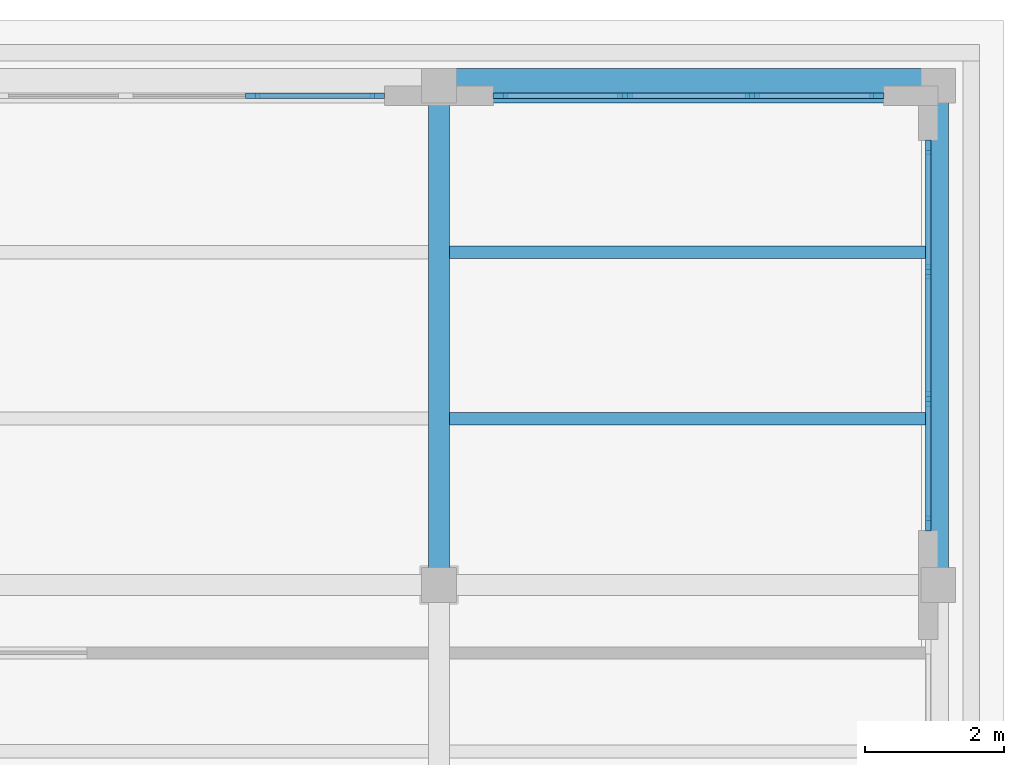
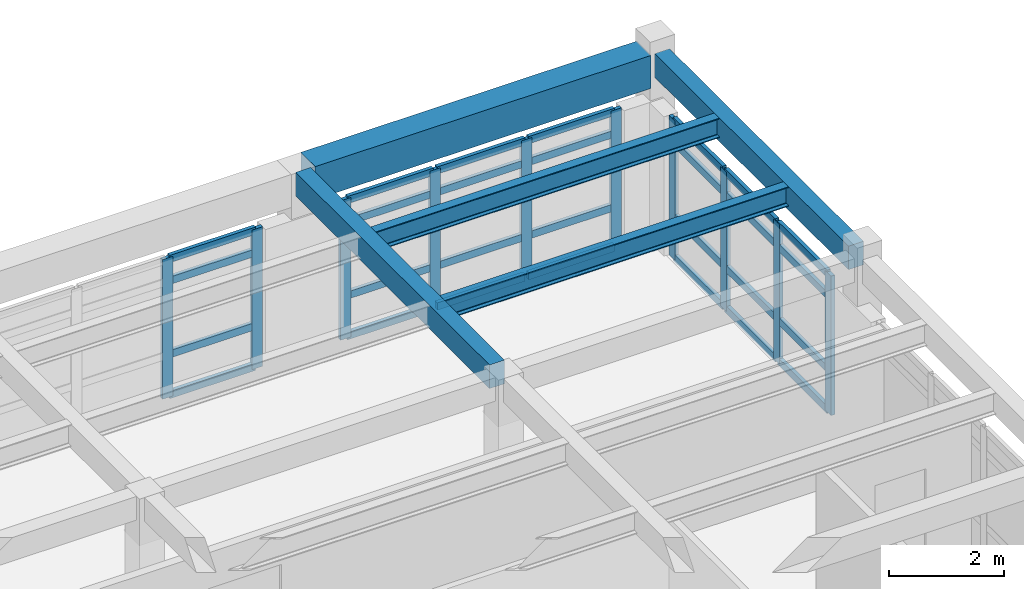
# One storey, part 7 of 15: 38 members, 5 beams, 3 elements without a shape of their own.
"""IFC4 building model written with IfcOpenShell, lengths in metres."""

from ifc_helpers import new_model, si_unit, direction, frame, origin, origin_2d, place, context, subcontext, project, spatial, rectangle, i_section, extrude, material, layer, layer_set, material_profile, profile_set, type_object, element, aggregate, save


model = new_model("IFC4")

# Units and contexts
model_context = context("Model", 3, precision=1e-05, world=origin(), true_north=direction((0.0, 1.0)))
body_context = subcontext(model_context, "Body", "Model", "MODEL_VIEW")
ifc_project = project(units=[si_unit("LENGTHUNIT", "METRE"), si_unit("AREAUNIT", "SQUARE_METRE"), si_unit("VOLUMEUNIT", "CUBIC_METRE"), si_unit("PLANEANGLEUNIT", "RADIAN"), si_unit("MASSUNIT", "GRAM", prefix="KILO")], contexts=[model_context])

# Site, building, storey
site_placement = place(None, origin())
site = spatial("IfcSite", under=ifc_project, at=site_placement, CompositionType="ELEMENT")
building_placement = place(site_placement, origin())
building = spatial("IfcBuilding", under=site, at=building_placement, Name="Solenvale Faculty of Natural Sciences", CompositionType="ELEMENT")
storey_placement = place(building_placement, frame((0.0, 0.0, 48.0)))
storey = spatial("IfcBuildingStorey", under=building, at=storey_placement, Name="L11", CompositionType="ELEMENT", Elevation=48.0)

# Beams
ifc_material_1 = material(Name="Concrete 40 MPa", Category="concrete")
ifc_material_profile_1 = material_profile(ifc_material_1, rectangle(XDim=0.300048828125, YDim=0.5, at=origin_2d()), Name="RC-BM-300x500")
ifc_profile_set_1 = profile_set([ifc_material_profile_1], Name="Concrete 40 MPa")
beam_type_1 = type_object("IfcBeamType", Name="BM-RC-300x500", PredefinedType="BEAM", material=ifc_profile_set_1)
for number, where, z_axis, x_axis, name in (
    (1, (144.0, 108.22998046875, 3.669921875), (0.0, 1.0, 0.0), (-1.0, 0.0, 0.0), "L11 Y-Girder X144.0 (108.0..115.2)"),
    (2, (151.199951171875, 108.22998046875, 3.669921875), (0.0, 1.0, 0.0), (-1.0, 0.0, 0.0), "L11 Y-Girder X151.2 (108.0..115.2)"),
):
    element("IfcBeam", number, at=place(storey_placement, frame(where, z_axis=z_axis, x_axis=x_axis)), inside=storey, type_object=beam_type_1, Name=name, PredefinedType="BEAM", context=body_context, shape_type="SweptSolid", body=[
        extrude(rectangle(XDim=0.300048828125, YDim=0.5, at=origin_2d()), origin(), (0.0, 0.0, 1.0), 6.739990234375),
    ])
ifc_material_2 = material(Name="Precast concrete 40 MPa", Category="concrete")
ifc_material_profile_2 = material_profile(ifc_material_2, rectangle(XDim=0.5, YDim=0.699951171875, at=origin_2d()), Name="RC-BM-500x700")
ifc_profile_set_2 = profile_set([ifc_material_profile_2], Name="Precast concrete 40 MPa")
beam_type_2 = type_object("IfcBeamType", Name="BM-SPN-PRC-700", PredefinedType="SPANDREL", material=ifc_profile_set_2)
beam_placement = place(storey_placement, frame((144.22998046875, 115.199951171875, 3.570068359375), z_axis=(1.0, 0.0, 0.0), x_axis=(0.0, 1.0, 0.0)))
element("IfcBeam", 3, at=beam_placement, inside=storey, type_object=beam_type_2, Name="L11 X-Girder Y115.2 (144.0..151.2)", PredefinedType="SPANDREL", context=body_context, shape_type="SweptSolid", body=[
    extrude(rectangle(XDim=0.5, YDim=0.699951171875, at=origin_2d()), origin(), (0.0, 0.0, 1.0), 6.739990234375),
])
ifc_material_3 = material(Name="Steel S355", Category="steel")
ifc_material_profile_3 = material_profile(ifc_material_3, i_section(OverallWidth=0.180908203125, OverallDepth=0.4169921875, WebThickness=0.010986328125, FlangeThickness=0.018310546875, FilletRadius=0.01611328125, at=origin_2d()), Name="W410x85")
ifc_profile_set_3 = profile_set([ifc_material_profile_3], Name="Steel S355")
beam_type_3 = type_object("IfcBeamType", Name="BM-STL-W410x85", PredefinedType="JOIST", material=ifc_profile_set_3)
for number, where, z_axis, x_axis, name in (
    (4, (144.1298828125, 110.39990234375, 3.71142578125), (1.0, 0.0, 0.0), (0.0, 1.0, 0.0), "L11 Composite Floor Joist (21,16).1"),
    (5, (144.1298828125, 112.800048828125, 3.71142578125), (1.0, 0.0, 0.0), (0.0, 1.0, 0.0), "L11 Composite Floor Joist (21,16).2"),
):
    element("IfcBeam", number, at=place(storey_placement, frame(where, z_axis=z_axis, x_axis=x_axis)), inside=storey, type_object=beam_type_3, Name=name, PredefinedType="JOIST", context=body_context, shape_type="SweptSolid", body=[
        extrude(i_section(OverallWidth=0.180908203125, OverallDepth=0.4169921875, WebThickness=0.010986328125, FlangeThickness=0.018310546875, FilletRadius=0.01611328125, at=origin_2d()), origin(), (0.0, 0.0, 1.0), 6.940185546875),
    ])

# Curtain wall, members
ifc_material_4 = material(Name="Anodised bronze aluminium", Category="aluminium")
ifc_layer = layer(ifc_material_4, 0.179931640625)
ifc_layer_set = layer_set([ifc_layer], Name="Anodised bronze aluminium")
curtain_wall_type = type_object("IfcCurtainWallType", Name="CW-TWR-MOD", PredefinedType="USERDEFINED", material=ifc_layer_set)
curtain_wall_1_placement = place(storey_placement, origin())
curtain_wall_1 = element("IfcCurtainWall", 6, at=curtain_wall_1_placement, inside=storey, type_object=curtain_wall_type, Name="L11 Curtain Wall CW-L11-P1-E1-B3", ObjectType="UNITISED CURTAIN WALL", PredefinedType="USERDEFINED")
ifc_material_profile_4 = material_profile(ifc_material_4, rectangle(XDim=0.074951171875, YDim=0.2099609375, at=origin_2d()), Name="ALU-MUL-75x210")
ifc_profile_set_4 = profile_set([ifc_material_profile_4], Name="Anodised bronze aluminium")
member_type_1 = type_object("IfcMemberType", Name="CWM-ALU-75x210", PredefinedType="MULLION", material=ifc_profile_set_4)
member_1_placement = place(storey_placement, frame((151.0576171875, 108.887451171875, 0.0), z_axis=(0.0, 0.0, 1.0), x_axis=(-1.0, 0.0, 0.0)))
member_1 = element("IfcMember", 7, at=member_1_placement, type_object=member_type_1, Name="CW-04 mullion 1", PredefinedType="MULLION", context=body_context, shape_type="SweptSolid", body=[
    extrude(rectangle(XDim=0.074951171875, YDim=0.2099609375, at=origin_2d()), origin(), (0.0, 0.0, 1.0), 2.9599609375),
])
member_2_placement = place(storey_placement, frame((151.0576171875, 110.683349609375, 0.0), z_axis=(0.0, 0.0, 1.0), x_axis=(-1.0, 0.0, 0.0)))
member_2 = element("IfcMember", 8, at=member_2_placement, type_object=member_type_1, Name="CW-04 mullion 2", PredefinedType="MULLION", context=body_context, shape_type="SweptSolid", body=[
    extrude(rectangle(XDim=0.074951171875, YDim=0.2099609375, at=origin_2d()), origin(), (0.0, 0.0, 1.0), 2.9599609375),
])
member_3_placement = place(storey_placement, frame((151.0576171875, 112.5166015625, 0.0), z_axis=(0.0, 0.0, 1.0), x_axis=(-1.0, 0.0, 0.0)))
member_3 = element("IfcMember", 9, at=member_3_placement, type_object=member_type_1, Name="CW-04 mullion 3", PredefinedType="MULLION", context=body_context, shape_type="SweptSolid", body=[
    extrude(rectangle(XDim=0.074951171875, YDim=0.2099609375, at=origin_2d()), origin(), (0.0, 0.0, 1.0), 2.9599609375),
])
member_4_placement = place(storey_placement, frame((151.0576171875, 114.3125, 0.0), z_axis=(0.0, 0.0, 1.0), x_axis=(-1.0, 0.0, 0.0)))
member_4 = element("IfcMember", 10, at=member_4_placement, type_object=member_type_1, Name="CW-04 mullion 4", PredefinedType="MULLION", context=body_context, shape_type="SweptSolid", body=[
    extrude(rectangle(XDim=0.074951171875, YDim=0.2099609375, at=origin_2d()), origin(), (0.0, 0.0, 1.0), 2.9599609375),
])

curtain_wall_2_placement = place(storey_placement, origin())
curtain_wall_2 = element("IfcCurtainWall", 11, at=curtain_wall_2_placement, inside=storey, type_object=curtain_wall_type, Name="L11 Curtain Wall CW-L11-P1-E2-B1", ObjectType="UNITISED CURTAIN WALL", PredefinedType="USERDEFINED")
member_5_placement = place(storey_placement, frame((150.3125, 115.0576171875, 0.0), z_axis=(0.0, 0.0, 1.0), x_axis=(0.0, -1.0, 0.0)))
member_5 = element("IfcMember", 12, at=member_5_placement, type_object=member_type_1, Name="CW-04 mullion 1", PredefinedType="MULLION", context=body_context, shape_type="SweptSolid", body=[
    extrude(rectangle(XDim=0.074951171875, YDim=0.2099609375, at=origin_2d()), origin(), (0.0, 0.0, 1.0), 2.9599609375),
])
member_6_placement = place(storey_placement, frame((148.5166015625, 115.0576171875, 0.0), z_axis=(0.0, 0.0, 1.0), x_axis=(0.0, -1.0, 0.0)))
member_6 = element("IfcMember", 13, at=member_6_placement, type_object=member_type_1, Name="CW-04 mullion 2", PredefinedType="MULLION", context=body_context, shape_type="SweptSolid", body=[
    extrude(rectangle(XDim=0.074951171875, YDim=0.2099609375, at=origin_2d()), origin(), (0.0, 0.0, 1.0), 2.9599609375),
])
member_7_placement = place(storey_placement, frame((146.683349609375, 115.0576171875, 0.0), z_axis=(0.0, 0.0, 1.0), x_axis=(0.0, -1.0, 0.0)))
member_7 = element("IfcMember", 14, at=member_7_placement, type_object=member_type_1, Name="CW-04 mullion 3", PredefinedType="MULLION", context=body_context, shape_type="SweptSolid", body=[
    extrude(rectangle(XDim=0.074951171875, YDim=0.2099609375, at=origin_2d()), origin(), (0.0, 0.0, 1.0), 2.9599609375),
])
member_8_placement = place(storey_placement, frame((144.887451171875, 115.0576171875, 0.0), z_axis=(0.0, 0.0, 1.0), x_axis=(0.0, -1.0, 0.0)))
member_8 = element("IfcMember", 15, at=member_8_placement, type_object=member_type_1, Name="CW-04 mullion 4", PredefinedType="MULLION", context=body_context, shape_type="SweptSolid", body=[
    extrude(rectangle(XDim=0.074951171875, YDim=0.2099609375, at=origin_2d()), origin(), (0.0, 0.0, 1.0), 2.9599609375),
])

curtain_wall_3_placement = place(storey_placement, origin())
curtain_wall_3 = element("IfcCurtainWall", 16, at=curtain_wall_3_placement, inside=storey, type_object=curtain_wall_type, Name="L11 Curtain Wall CW-L11-P1-E2-B2", ObjectType="UNITISED CURTAIN WALL", PredefinedType="USERDEFINED")
member_9_placement = place(storey_placement, frame((143.112548828125, 115.0576171875, 0.0), z_axis=(0.0, 0.0, 1.0), x_axis=(0.0, -1.0, 0.0)))
member_9 = element("IfcMember", 17, at=member_9_placement, type_object=member_type_1, Name="CW-04 mullion 1", PredefinedType="MULLION", context=body_context, shape_type="SweptSolid", body=[
    extrude(rectangle(XDim=0.074951171875, YDim=0.2099609375, at=origin_2d()), origin(), (0.0, 0.0, 1.0), 2.9599609375),
])
member_10_placement = place(storey_placement, frame((141.316650390625, 115.0576171875, 0.0), z_axis=(0.0, 0.0, 1.0), x_axis=(0.0, -1.0, 0.0)))
member_10 = element("IfcMember", 18, at=member_10_placement, type_object=member_type_1, Name="CW-04 mullion 2", PredefinedType="MULLION", context=body_context, shape_type="SweptSolid", body=[
    extrude(rectangle(XDim=0.074951171875, YDim=0.2099609375, at=origin_2d()), origin(), (0.0, 0.0, 1.0), 2.9599609375),
])

# Member
ifc_material_profile_5 = material_profile(ifc_material_4, rectangle(XDim=0.074951171875, YDim=0.155029296875, at=origin_2d()), Name="ALU-TRN-75x155")
ifc_profile_set_5 = profile_set([ifc_material_profile_5], Name="Anodised bronze aluminium")
member_type_2 = type_object("IfcMemberType", Name="CWT-ALU-75x155", PredefinedType="USERDEFINED", material=ifc_profile_set_5)
member_11_placement = place(storey_placement, frame((151.0576171875, 108.925048828125, 0.03759765625), z_axis=(0.0, 1.0, 0.0), x_axis=(-1.0, 0.0, 0.0)))
member_11 = element("IfcMember", 19, at=member_11_placement, type_object=member_type_2, Name="CW-04 transom 1.1", ObjectType="TRANSOM", PredefinedType="USERDEFINED", context=body_context, shape_type="SweptSolid", body=[
    extrude(rectangle(XDim=0.074951171875, YDim=0.155029296875, at=origin_2d()), origin(), (0.0, 0.0, 1.0), 1.720703125),
])

member_12_placement = place(storey_placement, frame((151.0576171875, 108.925048828125, 0.89990234375), z_axis=(0.0, 1.0, 0.0), x_axis=(-1.0, 0.0, 0.0)))
member_12 = element("IfcMember", 20, at=member_12_placement, type_object=member_type_2, Name="CW-04 transom 1.2", ObjectType="TRANSOM", PredefinedType="USERDEFINED", context=body_context, shape_type="SweptSolid", body=[
    extrude(rectangle(XDim=0.074951171875, YDim=0.155029296875, at=origin_2d()), origin(), (0.0, 0.0, 1.0), 1.720703125),
])

member_13_placement = place(storey_placement, frame((151.0576171875, 108.925048828125, 2.4599609375), z_axis=(0.0, 1.0, 0.0), x_axis=(-1.0, 0.0, 0.0)))
member_13 = element("IfcMember", 21, at=member_13_placement, type_object=member_type_2, Name="CW-04 transom 1.3", ObjectType="TRANSOM", PredefinedType="USERDEFINED", context=body_context, shape_type="SweptSolid", body=[
    extrude(rectangle(XDim=0.074951171875, YDim=0.155029296875, at=origin_2d()), origin(), (0.0, 0.0, 1.0), 1.720703125),
])

member_14_placement = place(storey_placement, frame((151.0576171875, 108.925048828125, 2.922607421875), z_axis=(0.0, 1.0, 0.0), x_axis=(-1.0, 0.0, 0.0)))
member_14 = element("IfcMember", 22, at=member_14_placement, type_object=member_type_2, Name="CW-04 transom 1.4", ObjectType="TRANSOM", PredefinedType="USERDEFINED", context=body_context, shape_type="SweptSolid", body=[
    extrude(rectangle(XDim=0.074951171875, YDim=0.155029296875, at=origin_2d()), origin(), (0.0, 0.0, 1.0), 1.720703125),
])

member_15_placement = place(storey_placement, frame((151.0576171875, 110.720947265625, 0.03759765625), z_axis=(0.0, 1.0, 0.0), x_axis=(-1.0, 0.0, 0.0)))
member_15 = element("IfcMember", 23, at=member_15_placement, type_object=member_type_2, Name="CW-04 transom 2.1", ObjectType="TRANSOM", PredefinedType="USERDEFINED", context=body_context, shape_type="SweptSolid", body=[
    extrude(rectangle(XDim=0.074951171875, YDim=0.155029296875, at=origin_2d()), origin(), (0.0, 0.0, 1.0), 1.75830078125),
])

member_16_placement = place(storey_placement, frame((151.0576171875, 110.720947265625, 0.89990234375), z_axis=(0.0, 1.0, 0.0), x_axis=(-1.0, 0.0, 0.0)))
member_16 = element("IfcMember", 24, at=member_16_placement, type_object=member_type_2, Name="CW-04 transom 2.2", ObjectType="TRANSOM", PredefinedType="USERDEFINED", context=body_context, shape_type="SweptSolid", body=[
    extrude(rectangle(XDim=0.074951171875, YDim=0.155029296875, at=origin_2d()), origin(), (0.0, 0.0, 1.0), 1.75830078125),
])

member_17_placement = place(storey_placement, frame((151.0576171875, 110.720947265625, 2.4599609375), z_axis=(0.0, 1.0, 0.0), x_axis=(-1.0, 0.0, 0.0)))
member_17 = element("IfcMember", 25, at=member_17_placement, type_object=member_type_2, Name="CW-04 transom 2.3", ObjectType="TRANSOM", PredefinedType="USERDEFINED", context=body_context, shape_type="SweptSolid", body=[
    extrude(rectangle(XDim=0.074951171875, YDim=0.155029296875, at=origin_2d()), origin(), (0.0, 0.0, 1.0), 1.75830078125),
])

member_18_placement = place(storey_placement, frame((151.0576171875, 110.720947265625, 2.922607421875), z_axis=(0.0, 1.0, 0.0), x_axis=(-1.0, 0.0, 0.0)))
member_18 = element("IfcMember", 26, at=member_18_placement, type_object=member_type_2, Name="CW-04 transom 2.4", ObjectType="TRANSOM", PredefinedType="USERDEFINED", context=body_context, shape_type="SweptSolid", body=[
    extrude(rectangle(XDim=0.074951171875, YDim=0.155029296875, at=origin_2d()), origin(), (0.0, 0.0, 1.0), 1.75830078125),
])

member_19_placement = place(storey_placement, frame((151.0576171875, 112.55419921875, 0.03759765625), z_axis=(0.0, 1.0, 0.0), x_axis=(-1.0, 0.0, 0.0)))
member_19 = element("IfcMember", 27, at=member_19_placement, type_object=member_type_2, Name="CW-04 transom 3.1", ObjectType="TRANSOM", PredefinedType="USERDEFINED", context=body_context, shape_type="SweptSolid", body=[
    extrude(rectangle(XDim=0.074951171875, YDim=0.155029296875, at=origin_2d()), origin(), (0.0, 0.0, 1.0), 1.720703125),
])

member_20_placement = place(storey_placement, frame((151.0576171875, 112.55419921875, 0.89990234375), z_axis=(0.0, 1.0, 0.0), x_axis=(-1.0, 0.0, 0.0)))
member_20 = element("IfcMember", 28, at=member_20_placement, type_object=member_type_2, Name="CW-04 transom 3.2", ObjectType="TRANSOM", PredefinedType="USERDEFINED", context=body_context, shape_type="SweptSolid", body=[
    extrude(rectangle(XDim=0.074951171875, YDim=0.155029296875, at=origin_2d()), origin(), (0.0, 0.0, 1.0), 1.720703125),
])

member_21_placement = place(storey_placement, frame((151.0576171875, 112.55419921875, 2.4599609375), z_axis=(0.0, 1.0, 0.0), x_axis=(-1.0, 0.0, 0.0)))
member_21 = element("IfcMember", 29, at=member_21_placement, type_object=member_type_2, Name="CW-04 transom 3.3", ObjectType="TRANSOM", PredefinedType="USERDEFINED", context=body_context, shape_type="SweptSolid", body=[
    extrude(rectangle(XDim=0.074951171875, YDim=0.155029296875, at=origin_2d()), origin(), (0.0, 0.0, 1.0), 1.720703125),
])

member_22_placement = place(storey_placement, frame((151.0576171875, 112.55419921875, 2.922607421875), z_axis=(0.0, 1.0, 0.0), x_axis=(-1.0, 0.0, 0.0)))
member_22 = element("IfcMember", 30, at=member_22_placement, type_object=member_type_2, Name="CW-04 transom 3.4", ObjectType="TRANSOM", PredefinedType="USERDEFINED", context=body_context, shape_type="SweptSolid", body=[
    extrude(rectangle(XDim=0.074951171875, YDim=0.155029296875, at=origin_2d()), origin(), (0.0, 0.0, 1.0), 1.720703125),
])

aggregate(curtain_wall_1, [member_1, member_2, member_3, member_4, member_11, member_12, member_13, member_14, member_15, member_16, member_17, member_18, member_19, member_20, member_21, member_22])

member_23_placement = place(storey_placement, frame((150.27490234375, 115.0576171875, 0.03759765625), z_axis=(-1.0, 0.0, 0.0), x_axis=(0.0, -1.0, 0.0)))
member_23 = element("IfcMember", 31, at=member_23_placement, type_object=member_type_2, Name="CW-04 transom 1.1", ObjectType="TRANSOM", PredefinedType="USERDEFINED", context=body_context, shape_type="SweptSolid", body=[
    extrude(rectangle(XDim=0.074951171875, YDim=0.155029296875, at=origin_2d()), origin(), (0.0, 0.0, 1.0), 1.720703125),
])

member_24_placement = place(storey_placement, frame((150.27490234375, 115.0576171875, 0.89990234375), z_axis=(-1.0, 0.0, 0.0), x_axis=(0.0, -1.0, 0.0)))
member_24 = element("IfcMember", 32, at=member_24_placement, type_object=member_type_2, Name="CW-04 transom 1.2", ObjectType="TRANSOM", PredefinedType="USERDEFINED", context=body_context, shape_type="SweptSolid", body=[
    extrude(rectangle(XDim=0.074951171875, YDim=0.155029296875, at=origin_2d()), origin(), (0.0, 0.0, 1.0), 1.720703125),
])

member_25_placement = place(storey_placement, frame((150.27490234375, 115.0576171875, 2.4599609375), z_axis=(-1.0, 0.0, 0.0), x_axis=(0.0, -1.0, 0.0)))
member_25 = element("IfcMember", 33, at=member_25_placement, type_object=member_type_2, Name="CW-04 transom 1.3", ObjectType="TRANSOM", PredefinedType="USERDEFINED", context=body_context, shape_type="SweptSolid", body=[
    extrude(rectangle(XDim=0.074951171875, YDim=0.155029296875, at=origin_2d()), origin(), (0.0, 0.0, 1.0), 1.720703125),
])

member_26_placement = place(storey_placement, frame((150.27490234375, 115.0576171875, 2.922607421875), z_axis=(-1.0, 0.0, 0.0), x_axis=(0.0, -1.0, 0.0)))
member_26 = element("IfcMember", 34, at=member_26_placement, type_object=member_type_2, Name="CW-04 transom 1.4", ObjectType="TRANSOM", PredefinedType="USERDEFINED", context=body_context, shape_type="SweptSolid", body=[
    extrude(rectangle(XDim=0.074951171875, YDim=0.155029296875, at=origin_2d()), origin(), (0.0, 0.0, 1.0), 1.720703125),
])

member_27_placement = place(storey_placement, frame((148.479248046875, 115.0576171875, 0.03759765625), z_axis=(-1.0, 0.0, 0.0), x_axis=(0.0, -1.0, 0.0)))
member_27 = element("IfcMember", 35, at=member_27_placement, type_object=member_type_2, Name="CW-04 transom 2.1", ObjectType="TRANSOM", PredefinedType="USERDEFINED", context=body_context, shape_type="SweptSolid", body=[
    extrude(rectangle(XDim=0.074951171875, YDim=0.155029296875, at=origin_2d()), origin(), (0.0, 0.0, 1.0), 1.75830078125),
])

member_28_placement = place(storey_placement, frame((148.479248046875, 115.0576171875, 0.89990234375), z_axis=(-1.0, 0.0, 0.0), x_axis=(0.0, -1.0, 0.0)))
member_28 = element("IfcMember", 36, at=member_28_placement, type_object=member_type_2, Name="CW-04 transom 2.2", ObjectType="TRANSOM", PredefinedType="USERDEFINED", context=body_context, shape_type="SweptSolid", body=[
    extrude(rectangle(XDim=0.074951171875, YDim=0.155029296875, at=origin_2d()), origin(), (0.0, 0.0, 1.0), 1.75830078125),
])

member_29_placement = place(storey_placement, frame((148.479248046875, 115.0576171875, 2.4599609375), z_axis=(-1.0, 0.0, 0.0), x_axis=(0.0, -1.0, 0.0)))
member_29 = element("IfcMember", 37, at=member_29_placement, type_object=member_type_2, Name="CW-04 transom 2.3", ObjectType="TRANSOM", PredefinedType="USERDEFINED", context=body_context, shape_type="SweptSolid", body=[
    extrude(rectangle(XDim=0.074951171875, YDim=0.155029296875, at=origin_2d()), origin(), (0.0, 0.0, 1.0), 1.75830078125),
])

member_30_placement = place(storey_placement, frame((148.479248046875, 115.0576171875, 2.922607421875), z_axis=(-1.0, 0.0, 0.0), x_axis=(0.0, -1.0, 0.0)))
member_30 = element("IfcMember", 38, at=member_30_placement, type_object=member_type_2, Name="CW-04 transom 2.4", ObjectType="TRANSOM", PredefinedType="USERDEFINED", context=body_context, shape_type="SweptSolid", body=[
    extrude(rectangle(XDim=0.074951171875, YDim=0.155029296875, at=origin_2d()), origin(), (0.0, 0.0, 1.0), 1.75830078125),
])

member_31_placement = place(storey_placement, frame((146.645751953125, 115.0576171875, 0.03759765625), z_axis=(-1.0, 0.0, 0.0), x_axis=(0.0, -1.0, 0.0)))
member_31 = element("IfcMember", 39, at=member_31_placement, type_object=member_type_2, Name="CW-04 transom 3.1", ObjectType="TRANSOM", PredefinedType="USERDEFINED", context=body_context, shape_type="SweptSolid", body=[
    extrude(rectangle(XDim=0.074951171875, YDim=0.155029296875, at=origin_2d()), origin(), (0.0, 0.0, 1.0), 1.720703125),
])

member_32_placement = place(storey_placement, frame((146.645751953125, 115.0576171875, 0.89990234375), z_axis=(-1.0, 0.0, 0.0), x_axis=(0.0, -1.0, 0.0)))
member_32 = element("IfcMember", 40, at=member_32_placement, type_object=member_type_2, Name="CW-04 transom 3.2", ObjectType="TRANSOM", PredefinedType="USERDEFINED", context=body_context, shape_type="SweptSolid", body=[
    extrude(rectangle(XDim=0.074951171875, YDim=0.155029296875, at=origin_2d()), origin(), (0.0, 0.0, 1.0), 1.720703125),
])

member_33_placement = place(storey_placement, frame((146.645751953125, 115.0576171875, 2.4599609375), z_axis=(-1.0, 0.0, 0.0), x_axis=(0.0, -1.0, 0.0)))
member_33 = element("IfcMember", 41, at=member_33_placement, type_object=member_type_2, Name="CW-04 transom 3.3", ObjectType="TRANSOM", PredefinedType="USERDEFINED", context=body_context, shape_type="SweptSolid", body=[
    extrude(rectangle(XDim=0.074951171875, YDim=0.155029296875, at=origin_2d()), origin(), (0.0, 0.0, 1.0), 1.720703125),
])

member_34_placement = place(storey_placement, frame((146.645751953125, 115.0576171875, 2.922607421875), z_axis=(-1.0, 0.0, 0.0), x_axis=(0.0, -1.0, 0.0)))
member_34 = element("IfcMember", 42, at=member_34_placement, type_object=member_type_2, Name="CW-04 transom 3.4", ObjectType="TRANSOM", PredefinedType="USERDEFINED", context=body_context, shape_type="SweptSolid", body=[
    extrude(rectangle(XDim=0.074951171875, YDim=0.155029296875, at=origin_2d()), origin(), (0.0, 0.0, 1.0), 1.720703125),
])

aggregate(curtain_wall_2, [member_5, member_6, member_7, member_8, member_23, member_24, member_25, member_26, member_27, member_28, member_29, member_30, member_31, member_32, member_33, member_34])

member_35_placement = place(storey_placement, frame((143.074951171875, 115.0576171875, 0.03759765625), z_axis=(-1.0, 0.0, 0.0), x_axis=(0.0, -1.0, 0.0)))
member_35 = element("IfcMember", 43, at=member_35_placement, type_object=member_type_2, Name="CW-04 transom 1.1", ObjectType="TRANSOM", PredefinedType="USERDEFINED", context=body_context, shape_type="SweptSolid", body=[
    extrude(rectangle(XDim=0.074951171875, YDim=0.155029296875, at=origin_2d()), origin(), (0.0, 0.0, 1.0), 1.720703125),
])

member_36_placement = place(storey_placement, frame((143.074951171875, 115.0576171875, 0.89990234375), z_axis=(-1.0, 0.0, 0.0), x_axis=(0.0, -1.0, 0.0)))
member_36 = element("IfcMember", 44, at=member_36_placement, type_object=member_type_2, Name="CW-04 transom 1.2", ObjectType="TRANSOM", PredefinedType="USERDEFINED", context=body_context, shape_type="SweptSolid", body=[
    extrude(rectangle(XDim=0.074951171875, YDim=0.155029296875, at=origin_2d()), origin(), (0.0, 0.0, 1.0), 1.720703125),
])

member_37_placement = place(storey_placement, frame((143.074951171875, 115.0576171875, 2.4599609375), z_axis=(-1.0, 0.0, 0.0), x_axis=(0.0, -1.0, 0.0)))
member_37 = element("IfcMember", 45, at=member_37_placement, type_object=member_type_2, Name="CW-04 transom 1.3", ObjectType="TRANSOM", PredefinedType="USERDEFINED", context=body_context, shape_type="SweptSolid", body=[
    extrude(rectangle(XDim=0.074951171875, YDim=0.155029296875, at=origin_2d()), origin(), (0.0, 0.0, 1.0), 1.720703125),
])

member_38_placement = place(storey_placement, frame((143.074951171875, 115.0576171875, 2.922607421875), z_axis=(-1.0, 0.0, 0.0), x_axis=(0.0, -1.0, 0.0)))
member_38 = element("IfcMember", 46, at=member_38_placement, type_object=member_type_2, Name="CW-04 transom 1.4", ObjectType="TRANSOM", PredefinedType="USERDEFINED", context=body_context, shape_type="SweptSolid", body=[
    extrude(rectangle(XDim=0.074951171875, YDim=0.155029296875, at=origin_2d()), origin(), (0.0, 0.0, 1.0), 1.720703125),
])

aggregate(curtain_wall_3, [member_9, member_10, member_35, member_36, member_37, member_38])

save(model, "model.ifc")
